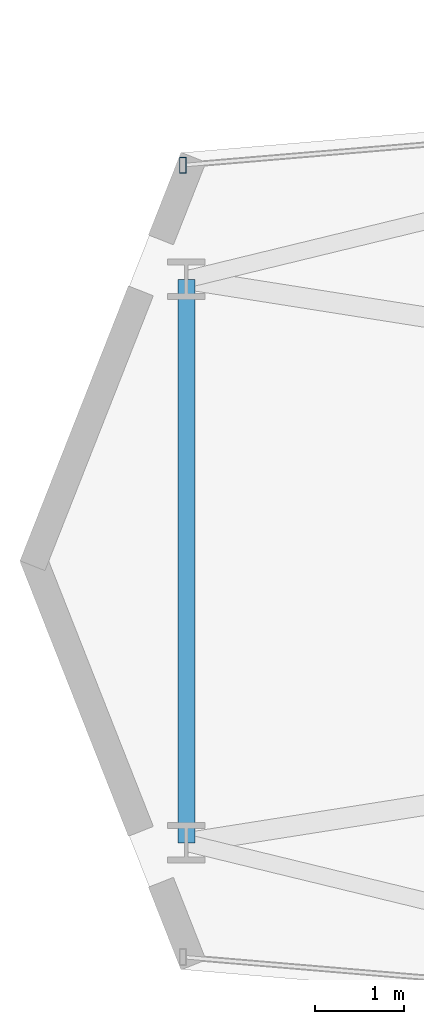
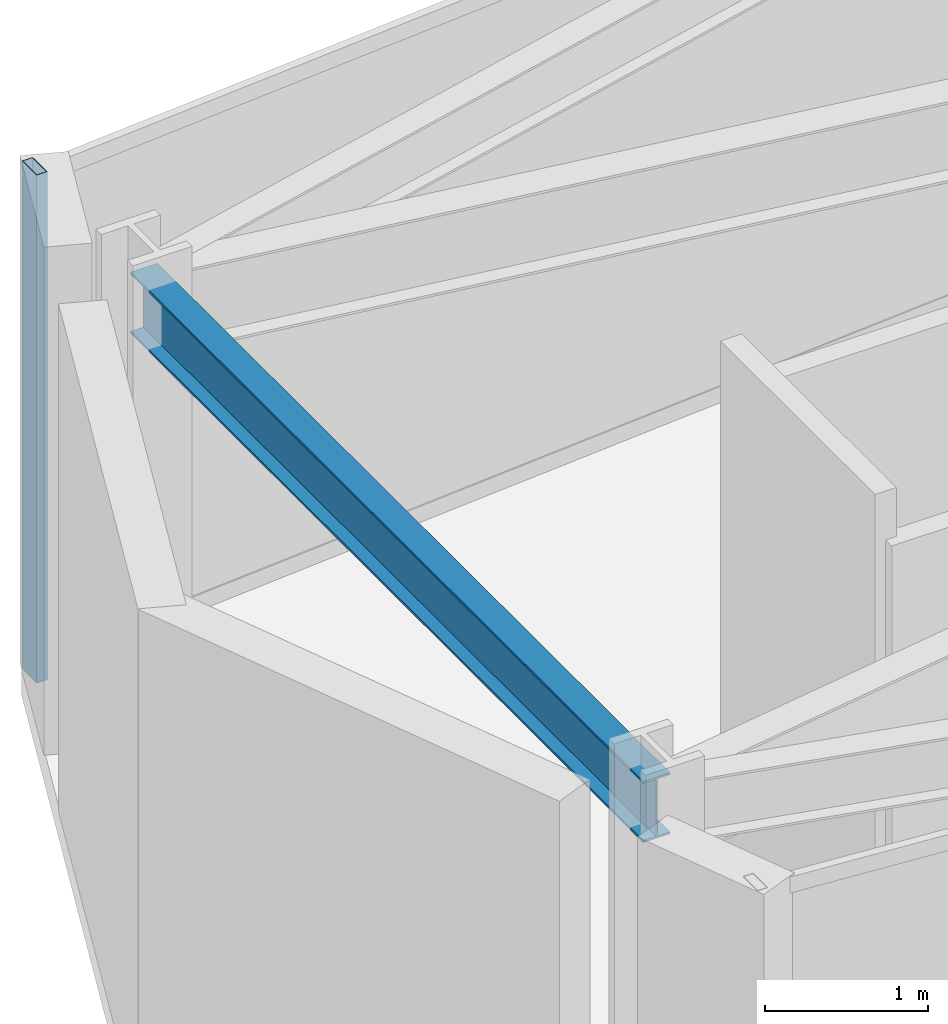
# One storey, part 6 of 25: 1 beam, 1 member, 1 element without a shape of its own.
"""IFC4 building model written with IfcOpenShell, lengths in metres."""

from ifc_helpers import new_model, si_unit, direction, frame, origin, origin_2d, place, context, subcontext, project, spatial, hollow_rectangle, i_section, extrude, material, layer, layer_set, material_profile, profile_set, type_object, element, aggregate, save


model = new_model("IFC4")

# Units and contexts
model_context = context("Model", 3, precision=1e-05, world=origin(), true_north=direction((0.0, 1.0)))
body_context = subcontext(model_context, "Body", "Model", "MODEL_VIEW")
ifc_project = project(units=[si_unit("LENGTHUNIT", "METRE"), si_unit("AREAUNIT", "SQUARE_METRE"), si_unit("VOLUMEUNIT", "CUBIC_METRE"), si_unit("PLANEANGLEUNIT", "RADIAN"), si_unit("MASSUNIT", "GRAM", prefix="KILO")], contexts=[model_context])

# Site, building, storey
site_placement = place(None, origin())
site = spatial("IfcSite", under=ifc_project, at=site_placement, CompositionType="ELEMENT")
building_placement = place(site_placement, origin())
building = spatial("IfcBuilding", under=site, at=building_placement, Name="Veymaron Broadcast Tower", CompositionType="ELEMENT")
storey_placement = place(building_placement, frame((0.0, 0.0, 145.199951171875)))
storey = spatial("IfcBuildingStorey", under=building, at=storey_placement, Name="L33", CompositionType="ELEMENT", Elevation=145.199951171875)

# Beam
ifc_material_1 = material(Name="Structural steel ASTM A992 Gr 50", Category="steel")
ifc_material_profile_1 = material_profile(ifc_material_1, i_section(OverallWidth=0.19091796875, OverallDepth=0.4599609375, WebThickness=0.010009765625, FlangeThickness=0.01611328125, at=origin_2d()), Name="W460X82")
ifc_profile_set_1 = profile_set([ifc_material_profile_1], Name="Structural steel ASTM A992 Gr 50")
beam_type = type_object("IfcBeamType", Name="BM-SP1", PredefinedType="SPANDREL", material=ifc_profile_set_1)
beam_placement = place(storey_placement, frame((11.25, 20.85009765625, 3.580078125), z_axis=(0.0, 1.0, 0.0), x_axis=(-1.0, 0.0, 0.0)))
element("IfcBeam", 1, at=beam_placement, inside=storey, type_object=beam_type, Name="L33 primary structural floor girder", PredefinedType="SPANDREL", context=body_context, shape_type="SweptSolid", body=[
    extrude(i_section(OverallWidth=0.19091796875, OverallDepth=0.4599609375, WebThickness=0.010009765625, FlangeThickness=0.01611328125, at=origin_2d()), origin(), (0.0, 0.0, 1.0), 6.2998046875),
])

# Curtain wall, member
ifc_material_2 = material(Name="Anodised aluminium AA 6063-T6 and laminated low-E dark glass", Category="aluminium")
ifc_layer = layer(ifc_material_2, 0.179931640625)
ifc_layer_set = layer_set([ifc_layer], Name="Anodised aluminium AA 6063-T6 and laminated low-E dark glass")
curtain_wall_type = type_object("IfcCurtainWallType", Name="CW-SYS-03", PredefinedType="NOTDEFINED", material=ifc_layer_set)
curtain_wall_placement = place(storey_placement, origin())
curtain_wall = element("IfcCurtainWall", 2, at=curtain_wall_placement, inside=storey, type_object=curtain_wall_type, Name="L33 dark-glass curtain wall CW-L33-E11-1", PredefinedType="NOTDEFINED")
ifc_material_3 = material(Name="Anodised aluminium AA 6063-T6", Category="aluminium")
ifc_material_profile_2 = material_profile(ifc_material_3, hollow_rectangle(XDim=0.074951171875, YDim=0.179931640625, WallThickness=0.0048828125, at=origin_2d()), Name="AL180X75X5")
ifc_profile_set_2 = profile_set([ifc_material_profile_2], Name="Anodised aluminium AA 6063-T6")
member_type = type_object("IfcMemberType", Name="CW-MUL-02", PredefinedType="MULLION", material=ifc_profile_set_2)
member_placement = place(storey_placement, frame((11.2119140625, 28.42626953125, 0.0), z_axis=(0.0, 0.0, 1.0), x_axis=(1.0, 0.0, 0.0)))
member = element("IfcMember", 3, at=member_placement, type_object=member_type, Name="CW-L33-E11-1 mullion 2", PredefinedType="MULLION", context=body_context, shape_type="SweptSolid", body=[
    extrude(hollow_rectangle(XDim=0.074951171875, YDim=0.179931640625, WallThickness=0.0048828125, at=origin_2d()), origin(), (0.0, 0.0, 1.0), 3.81005859375),
])
aggregate(curtain_wall, [member])

save(model, "model.ifc")
